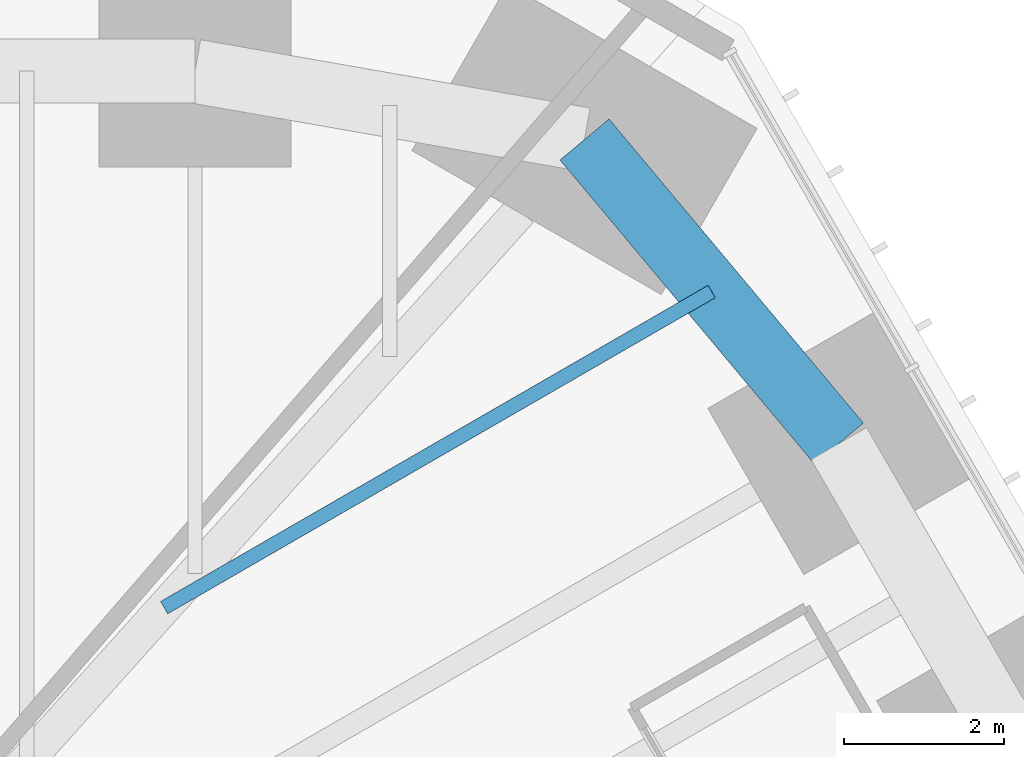
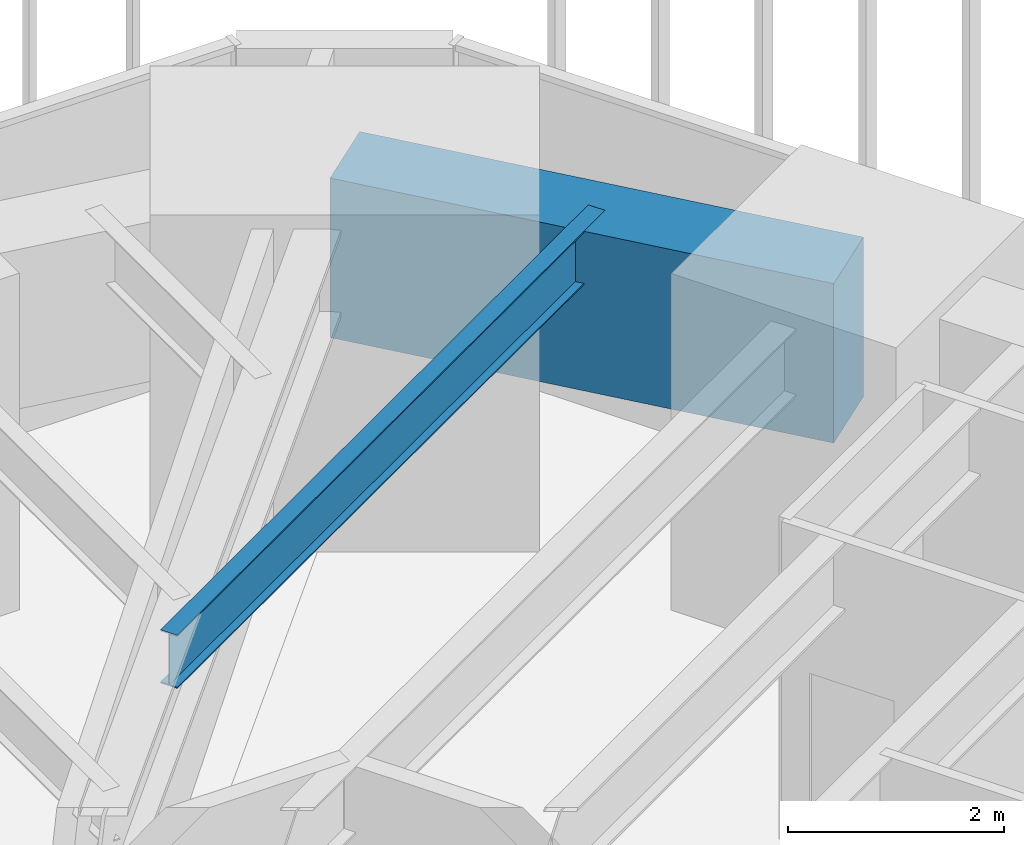
# One storey, part 237 of 256: 2 beams.
"""IFC4 building model written with IfcOpenShell, lengths in metres."""

from ifc_helpers import new_model, si_unit, direction, frame, origin, origin_2d, place, context, subcontext, project, spatial, rectangle, i_section, extrude, material, material_profile, profile_set, type_object, element, save


model = new_model("IFC4")

# Units and contexts
model_context = context("Model", 3, precision=1e-05, world=origin(), true_north=direction((0.0, 1.0)))
body_context = subcontext(model_context, "Body", "Model", "MODEL_VIEW")
ifc_project = project(units=[si_unit("LENGTHUNIT", "METRE"), si_unit("AREAUNIT", "SQUARE_METRE"), si_unit("VOLUMEUNIT", "CUBIC_METRE"), si_unit("PLANEANGLEUNIT", "RADIAN"), si_unit("MASSUNIT", "GRAM", prefix="KILO")], contexts=[model_context])

# Site, building, storey
site_placement = place(None, origin())
site = spatial("IfcSite", under=ifc_project, at=site_placement, CompositionType="ELEMENT")
building_placement = place(site_placement, origin())
building = spatial("IfcBuilding", under=site, at=building_placement, Name="Sandreach Pilgrim Tower", CompositionType="ELEMENT")
storey_placement = place(building_placement, frame((0.0, 0.0, 23.0)))
storey = spatial("IfcBuildingStorey", under=building, at=storey_placement, Name="L04", CompositionType="ELEMENT", Elevation=23.0)

# Beams
ifc_material_1 = material(Name="Steel ASTM A992 Grade 50", Category="steel")
ifc_material_profile_1 = material_profile(ifc_material_1, i_section(OverallWidth=0.1787109375, OverallDepth=0.60205078125, WebThickness=0.010986328125, FlangeThickness=0.014892578125, at=origin_2d()), Name="W24X62")
ifc_profile_set_1 = profile_set([ifc_material_profile_1], Name="Steel ASTM A992 Grade 50")
beam_type_1 = type_object("IfcBeamType", Name="Floor beam W24X62", PredefinedType="BEAM", material=ifc_profile_set_1)
beam_1_placement = place(storey_placement, frame((21.197021484375, 19.933349609375, 3.339111328125), z_axis=(-0.866028778003, -0.499994155636, 0.0), x_axis=(0.499994155636, -0.866028778003, 0.0)))
element("IfcBeam", 1, at=beam_1_placement, inside=storey, type_object=beam_type_1, Name="BM L04 FM09", PredefinedType="BEAM", context=body_context, shape_type="SweptSolid", body=[
    extrude(i_section(OverallWidth=0.1787109375, OverallDepth=0.60205078125, WebThickness=0.010986328125, FlangeThickness=0.014892578125, at=origin_2d()), origin(), (0.0, 0.0, 1.0), 7.90771484375),
])
ifc_material_2 = material(Name="Concrete 10000 psi", Category="concrete")
ifc_material_profile_2 = material_profile(ifc_material_2, rectangle(XDim=0.800048828125, YDim=1.800048828125, at=origin_2d()), Name="RC800X1800")
ifc_profile_set_2 = profile_set([ifc_material_profile_2], Name="Concrete 10000 psi")
beam_type_2 = type_object("IfcBeamType", Name="Spandrel beam RC800X1800", PredefinedType="SPANDREL", material=ifc_profile_set_2)
beam_2_placement = place(storey_placement, frame((19.6064453125, 21.834716796875, 2.739990234375), z_axis=(0.641665295114, -0.766984777584, 0.0), x_axis=(0.766984777584, 0.641665295114, 0.0)))
element("IfcBeam", 2, at=beam_2_placement, inside=storey, type_object=beam_type_2, Name="BM L04 SP09", PredefinedType="SPANDREL", context=body_context, shape_type="SweptSolid", body=[
    extrude(rectangle(XDim=0.800048828125, YDim=1.800048828125, at=origin_2d()), origin(), (0.0, 0.0, 1.0), 4.9580078125),
])

save(model, "model.ifc")
